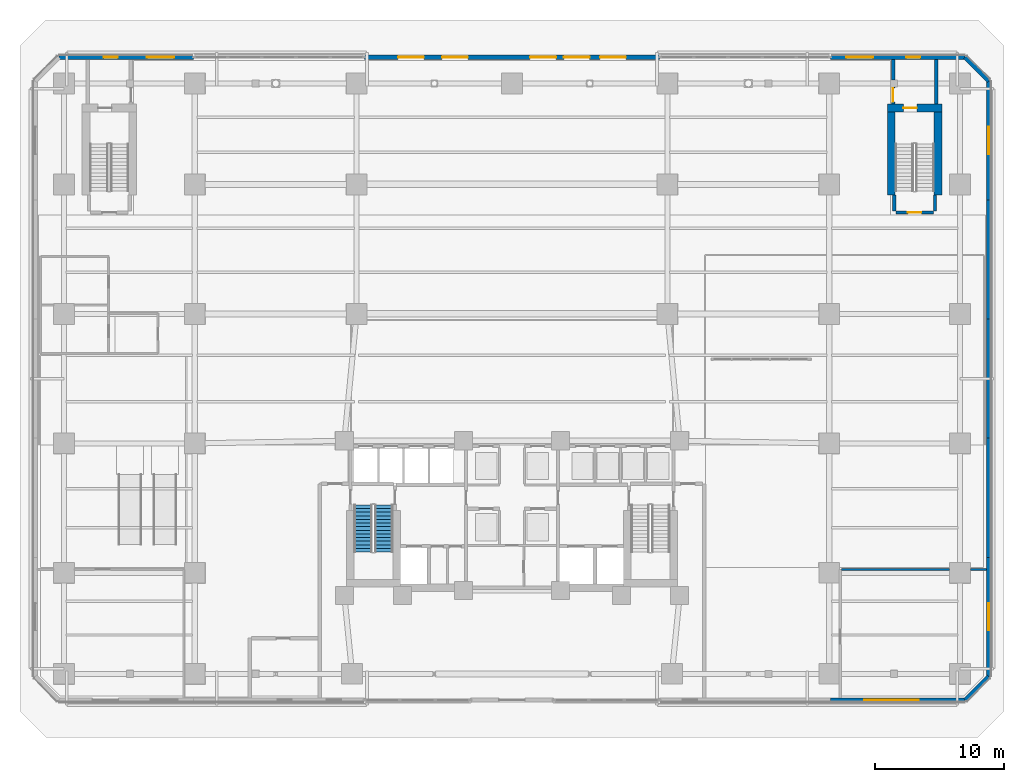
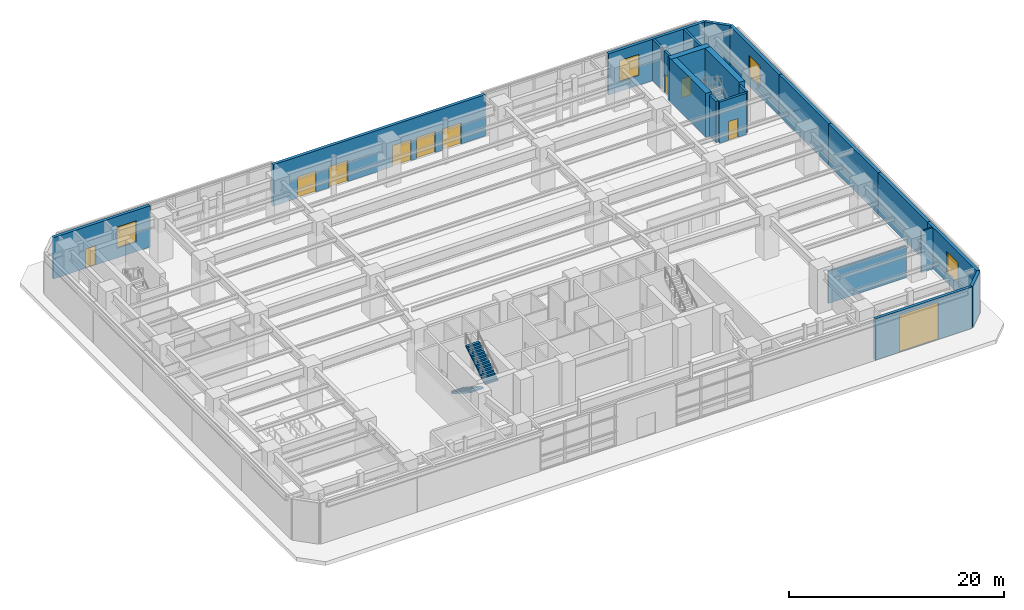
# One storey, part 16 of 26: 22 walls, 11 doors, 4 windows, 2 stair flights, 15 openings, 1 element without a shape of its own.
"""IFC4 building model written with IfcOpenShell, lengths in metres."""

from ifc_helpers import new_model, si_unit, direction, frame, frame_2d, origin, place, context, subcontext, project, spatial, polyline, rectangle, outline, extrude, material, layer, layer_set, type_object, element, fill, aggregate, save


model = new_model("IFC4")

# Units and contexts
model_context = context("Model", 3, precision=1e-05, world=origin(), true_north=direction((0.0, 1.0)))
body_context = subcontext(model_context, "Body", "Model", "MODEL_VIEW")
ifc_project = project(units=[si_unit("LENGTHUNIT", "METRE"), si_unit("AREAUNIT", "SQUARE_METRE"), si_unit("VOLUMEUNIT", "CUBIC_METRE"), si_unit("PLANEANGLEUNIT", "RADIAN"), si_unit("MASSUNIT", "GRAM", prefix="KILO")], contexts=[model_context])

# Site, building, storey
site_placement = place(None, origin())
site = spatial("IfcSite", under=ifc_project, at=site_placement, CompositionType="ELEMENT")
building_placement = place(site_placement, origin())
building = spatial("IfcBuilding", under=site, at=building_placement, Name="Quenlor Broadcast Tower", CompositionType="ELEMENT")
storey_placement = place(building_placement, origin())
storey = spatial("IfcBuildingStorey", under=building, at=storey_placement, Name="L00", CompositionType="ELEMENT", Elevation=0.0)

# Wall, opening, door
ifc_material_1 = material(Name="Concrete C65/80", Category="concrete")
ifc_layer_1 = layer(ifc_material_1, 0.60009765625)
ifc_layer_set_1 = layer_set([ifc_layer_1], Name="Core Concrete C65/80 Shear Wall 600")
wall_type_1 = type_object("IfcWallType", Name="Core Concrete C65/80 Shear Wall 600", PredefinedType="SHEAR", material=ifc_layer_set_1)
wall_1_placement = place(storey_placement, frame((29.0, 20.89990234375, 0.0), z_axis=(0.0, 0.0, 1.0), x_axis=(1.0, 0.0, 0.0)))
wall_1 = element("IfcWall", 1, at=wall_1_placement, inside=storey, type_object=wall_type_1, Name="L00 Core Shear Wall ST4-N", PredefinedType="SHEAR", context=body_context, shape_type="SweptSolid", body=[
    extrude(rectangle(XDim=4.199951171875, YDim=0.60009765625, at=frame_2d((2.10009765625, 0.0))), origin(), (0.0, 0.0, 1.0), 5.0),
])
opening_1_placement = place(wall_1_placement, frame((1.22509765625, 0.0, 0.0)))
opening_1 = element("IfcOpeningElement", 2, at=opening_1_placement, cuts=wall_1, Name="Opening FD-1", PredefinedType="OPENING", context=body_context, shape_type="SweptSolid", body=[
    extrude(rectangle(XDim=1.050048828125, YDim=2.14990234375, at=frame_2d((0.52490234375, 1.074951171875))), frame((0.0, 0.31005859375, 0.0), z_axis=(0.0, -1.0, 0.0), x_axis=(1.0, 0.0, 0.0)), (0.0, 0.0, 1.0), 0.6201171875),
])
ifc_material_2 = material(Name="Fire Rated Steel Door Leaf", Category="steel")
door_type_1 = type_object("IfcDoorType", Name="Fire Isolated Stair Door 1050x2150", OperationType="NOTDEFINED", PredefinedType="DOOR", material=ifc_material_2)
door_1_placement = place(opening_1_placement, origin())
door_1 = element("IfcDoor", 3, at=door_1_placement, inside=storey, type_object=door_type_1, Name="L00 Exit Stair ST-4 Discharge Door to Exit Vestibule North East", OperationType="SINGLE_SWING_RIGHT", OverallHeight=2.14990234375, OverallWidth=1.050048828125, PredefinedType="DOOR", context=body_context, shape_type="SweptSolid", body=[
    extrude(rectangle(XDim=1.050048828125, YDim=2.14990234375, at=frame_2d((0.52490234375, 1.074951171875))), frame((0.0, 0.02490234375, 0.0), z_axis=(0.0, -1.0, 0.0), x_axis=(1.0, 0.0, 0.0)), (0.0, 0.0, 1.0), 0.050048828125),
])
fill(opening_1, door_1)

# Walls
for number, where, z_axis, x_axis, name in (
    (4, (29.300048828125, 14.199951171875, 0.0), (0.0, 0.0, 1.0), (0.0, 1.0, 0.0), "L00 Core Shear Wall ST4-W"),
    (5, (32.89990234375, 14.199951171875, 0.0), (0.0, 0.0, 1.0), (0.0, 1.0, 0.0), "L00 Core Shear Wall ST4-E"),
):
    element("IfcWall", number, at=place(storey_placement, frame(where, z_axis=z_axis, x_axis=x_axis)), inside=storey, type_object=wall_type_1, Name=name, PredefinedType="SHEAR", context=body_context, shape_type="SweptSolid", body=[
        extrude(rectangle(XDim=6.699951171875, YDim=0.60009765625, at=frame_2d((3.35009765625, 0.0))), origin(), (0.0, 0.0, 1.0), 5.0),
    ])

# Wall, opening, door
ifc_material_3 = material(Name="Concrete C40/50", Category="concrete")
ifc_layer_2 = layer(ifc_material_3, 0.25)
ifc_layer_set_2 = layer_set([ifc_layer_2], Name="Fire Rated Concrete C40/50 Core Wall 250")
wall_type_2 = type_object("IfcWallType", Name="Fire Rated Concrete C40/50 Core Wall 250", PredefinedType="PARTITIONING", material=ifc_layer_set_2)
wall_2_placement = place(storey_placement, frame((29.64990234375, 12.840087890625, 0.0), z_axis=(0.0, 0.0, 1.0), x_axis=(1.0, 0.0, 0.0)))
wall_2 = element("IfcWall", 6, at=wall_2_placement, inside=storey, type_object=wall_type_2, Name="L00 Interior Wall CW-ST4-S", PredefinedType="PARTITIONING", context=body_context, shape_type="SweptSolid", body=[
    extrude(rectangle(XDim=2.900146484375, YDim=0.25, at=frame_2d((1.4501953125, 0.0))), origin(), (0.0, 0.0, 1.0), 4.699951171875),
])
opening_2_placement = place(wall_2_placement, frame((0.919921875, 0.0, 0.0)))
opening_2 = element("IfcOpeningElement", 7, at=opening_2_placement, cuts=wall_2, Name="Opening FD-1", PredefinedType="OPENING", context=body_context, shape_type="SweptSolid", body=[
    extrude(rectangle(XDim=1.050048828125, YDim=2.14990234375, at=frame_2d((0.52490234375, 1.074951171875))), frame((0.0, 0.135009765625, 0.0), z_axis=(0.0, -1.0, 0.0), x_axis=(1.0, 0.0, 0.0)), (0.0, 0.0, 1.0), 0.27001953125),
])
door_2_placement = place(opening_2_placement, origin())
door_2 = element("IfcDoor", 8, at=door_2_placement, inside=storey, type_object=door_type_1, Name="L00 Door DR-ST4", OperationType="SINGLE_SWING_RIGHT", OverallHeight=2.14990234375, OverallWidth=1.050048828125, PredefinedType="DOOR", context=body_context, shape_type="SweptSolid", body=[
    extrude(rectangle(XDim=1.050048828125, YDim=2.14990234375, at=frame_2d((0.52490234375, 1.074951171875))), frame((0.0, 0.02490234375, 0.0), z_axis=(0.0, -1.0, 0.0), x_axis=(1.0, 0.0, 0.0)), (0.0, 0.0, 1.0), 0.050048828125),
])
fill(opening_2, door_2)

# Walls
for number, where, z_axis, x_axis, name in (
    (9, (29.52001953125, 12.9599609375, 0.0), (0.0, 0.0, 1.0), (0.0, 1.0, 0.0), "L00 Interior Wall CW-ST4-W1"),
    (10, (32.679931640625, 12.9599609375, 0.0), (0.0, 0.0, 1.0), (0.0, 1.0, 0.0), "L00 Interior Wall CW-ST4-E1"),
):
    element("IfcWall", number, at=place(storey_placement, frame(where, z_axis=z_axis, x_axis=x_axis)), inside=storey, type_object=wall_type_2, Name=name, PredefinedType="PARTITIONING", context=body_context, shape_type="SweptSolid", body=[
        extrude(rectangle(XDim=1.219970703125, YDim=0.25, at=frame_2d((0.60986328125, 0.0))), origin(), (0.0, 0.0, 1.0), 4.699951171875),
    ])

# Wall, opening, door
wall_3_placement = place(storey_placement, frame((29.43994140625, 21.201904296875, 0.0), z_axis=(0.0, 0.0, 1.0), x_axis=(0.0, 1.0, 0.0)))
wall_3 = element("IfcWall", 11, at=wall_3_placement, inside=storey, type_object=wall_type_2, Name="L00 Interior Wall PW-L00-VNEW", PredefinedType="PARTITIONING", context=body_context, shape_type="SweptSolid", body=[
    extrude(rectangle(XDim=1.321044921875, YDim=0.25, at=frame_2d((0.66064453125, 0.0))), origin(), (0.0, 0.0, 1.0), 4.699951171875),
])
opening_3_placement = place(wall_3_placement, frame((0.177978515625, 0.0, 0.0)))
opening_3 = element("IfcOpeningElement", 12, at=opening_3_placement, cuts=wall_3, Name="Opening FD-1", PredefinedType="OPENING", context=body_context, shape_type="SweptSolid", body=[
    extrude(rectangle(XDim=1.050048828125, YDim=2.14990234375, at=frame_2d((0.52490234375, 1.074951171875))), frame((0.0, 0.135009765625, 0.0), z_axis=(0.0, -1.0, 0.0), x_axis=(1.0, 0.0, 0.0)), (0.0, 0.0, 1.0), 0.27001953125),
])
door_3_placement = place(opening_3_placement, origin())
door_3 = element("IfcDoor", 13, at=door_3_placement, inside=storey, type_object=door_type_1, Name="L00 Door DR-L00-VNEW", OperationType="SINGLE_SWING_LEFT", OverallHeight=2.14990234375, OverallWidth=1.050048828125, PredefinedType="DOOR", context=body_context, shape_type="SweptSolid", body=[
    extrude(rectangle(XDim=1.050048828125, YDim=2.14990234375, at=frame_2d((0.52490234375, 1.074951171875))), frame((0.0, 0.02490234375, 0.0), z_axis=(0.0, -1.0, 0.0), x_axis=(1.0, 0.0, 0.0)), (0.0, 0.0, 1.0), 0.050048828125),
])
fill(opening_3, door_3)

# Walls
wall_4_placement = place(storey_placement, frame((29.43994140625, 23.076904296875, 0.0), z_axis=(0.0, 0.0, 1.0), x_axis=(0.0, 1.0, 0.0)))
element("IfcWall", 14, at=wall_4_placement, inside=storey, type_object=wall_type_2, Name="L00 Interior Wall PW-L00-VNEWS2", PredefinedType="PARTITIONING", context=body_context, shape_type="SweptSolid", body=[
    extrude(rectangle(XDim=1.5810546875, YDim=0.25, at=frame_2d((0.79052734375, 0.0))), origin(), (0.0, 0.0, 1.0), 4.699951171875),
])
wall_5_placement = place(storey_placement, frame((32.760009765625, 21.201904296875, 0.0), z_axis=(0.0, 0.0, 1.0), x_axis=(0.0, 1.0, 0.0)))
element("IfcWall", 15, at=wall_5_placement, inside=storey, type_object=wall_type_2, Name="L00 Interior Wall PW-L00-VNEE", PredefinedType="PARTITIONING", context=body_context, shape_type="SweptSolid", body=[
    extrude(rectangle(XDim=3.4560546875, YDim=0.25, at=frame_2d((1.72802734375, 0.0))), origin(), (0.0, 0.0, 1.0), 4.699951171875),
])
ifc_material_4 = material(Name="Gypsum Fireboard Partition", Category="other")
ifc_layer_3 = layer(ifc_material_4, 0.159912109375)
ifc_layer_set_3 = layer_set([ifc_layer_3], Name="Fire Rated Shaft and Corridor Partition 160")
wall_type_3 = type_object("IfcWallType", Name="Fire Rated Shaft and Corridor Partition 160", PredefinedType="PARTITIONING", material=ifc_layer_set_3)
wall_6_placement = place(storey_placement, frame((25.431884765625, -14.75, 0.0), z_axis=(0.0, 0.0, 1.0), x_axis=(1.0, 0.0, 0.0)))
element("IfcWall", 16, at=wall_6_placement, inside=storey, type_object=wall_type_3, Name="L00 Interior Wall PW-L00-OBN", PredefinedType="PARTITIONING", context=body_context, shape_type="SweptSolid", body=[
    extrude(rectangle(XDim=8.3662109375, YDim=0.159912109375, at=frame_2d((4.18310546875, 0.0))), origin(), (0.0, 0.0, 1.0), 3.676025390625),
])
wall_7_placement = place(storey_placement, frame((35.402099609375, -14.75, 0.0), z_axis=(0.0, 0.0, 1.0), x_axis=(1.0, 0.0, 0.0)))
element("IfcWall", 17, at=wall_7_placement, inside=storey, type_object=wall_type_3, Name="L00 Interior Wall PW-L00-OBNS2", PredefinedType="PARTITIONING", context=body_context, shape_type="SweptSolid", body=[
    extrude(rectangle(XDim=1.2578125, YDim=0.159912109375, at=frame_2d((0.62890625, 0.0))), origin(), (0.0, 0.0, 1.0), 4.699951171875),
])

# Wall, opening, door
ifc_material_5 = material(Name="Precast concrete C40/50", Category="concrete")
ifc_layer_4 = layer(ifc_material_5, 0.320068359375)
ifc_layer_set_4 = layer_set([ifc_layer_4], Name="Station Podium Precast Concrete C40/50 Facade Wall 320")
wall_type_4 = type_object("IfcWallType", Name="Station Podium Precast Concrete C40/50 Facade Wall 320", PredefinedType="STANDARD", material=ifc_layer_set_4)
wall_8_placement = place(storey_placement, frame((35.0, -24.820068359375, 0.0), z_axis=(0.0, 0.0, 1.0), x_axis=(-1.0, 0.0, 0.0)))
wall_8 = element("IfcWall", 18, at=wall_8_placement, inside=storey, type_object=wall_type_4, Name="L00 Exterior Wall L00-EW-SOB", PredefinedType="STANDARD", context=body_context, shape_type="SweptSolid", body=[
    extrude(rectangle(XDim=10.39990234375, YDim=0.320068359375, at=frame_2d((5.199951171875, 0.0))), origin(), (0.0, 0.0, 1.0), 4.699951171875),
])
opening_4_placement = place(wall_8_placement, frame((3.60009765625, 0.0, 0.0)))
opening_4 = element("IfcOpeningElement", 19, at=opening_4_placement, cuts=wall_8, Name="Opening VG-1", PredefinedType="OPENING", context=body_context, shape_type="SweptSolid", body=[
    extrude(rectangle(XDim=4.199951171875, YDim=4.199951171875, at=frame_2d((2.10009765625, 2.10009765625))), frame((0.0, 0.169921875, 0.0), z_axis=(0.0, -1.0, 0.0), x_axis=(1.0, 0.0, 0.0)), (0.0, 0.0, 1.0), 0.340087890625),
])
ifc_material_6 = material(Name="Galvanised Steel S355", Category="steel")
door_type_2 = type_object("IfcDoorType", Name="Outside Broadcast Dock Roller Shutter Gate 4200x4200", OperationType="NOTDEFINED", PredefinedType="GATE", material=ifc_material_6)
door_4_placement = place(opening_4_placement, origin())
door_4 = element("IfcDoor", 20, at=door_4_placement, inside=storey, type_object=door_type_2, Name="L00 OB Dock Roller Shutter Gate VG-1", OperationType="ROLLINGUP", OverallHeight=4.199951171875, OverallWidth=4.199951171875, PredefinedType="GATE", context=body_context, shape_type="SweptSolid", body=[
    extrude(rectangle(XDim=4.199951171875, YDim=4.199951171875, at=frame_2d((2.10009765625, 2.10009765625))), frame((0.0, 0.02490234375, 0.0), z_axis=(0.0, -1.0, 0.0), x_axis=(1.0, 0.0, 0.0)), (0.0, 0.0, 1.0), 0.050048828125),
])
fill(opening_4, door_4)

# Wall, openings, door, window
wall_9_placement = place(storey_placement, frame((-35.0, 24.820068359375, 0.0), z_axis=(0.0, 0.0, 1.0), x_axis=(1.0, 0.0, 0.0)))
wall_9 = element("IfcWall", 21, at=wall_9_placement, inside=storey, type_object=wall_type_4, Name="L00 Exterior Wall L00-EW-NW", PredefinedType="STANDARD", context=body_context, shape_type="SweptSolid", body=[
    extrude(rectangle(XDim=10.39990234375, YDim=0.320068359375, at=frame_2d((5.199951171875, 0.0))), origin(), (0.0, 0.0, 1.0), 4.699951171875),
])
opening_5_placement = place(wall_9_placement, frame((3.449951171875, 0.0, 0.0)))
opening_5 = element("IfcOpeningElement", 22, at=opening_5_placement, cuts=wall_9, Name="Opening ED-2", PredefinedType="OPENING", context=body_context, shape_type="SweptSolid", body=[
    extrude(rectangle(XDim=1.10009765625, YDim=2.199951171875, at=frame_2d((0.550048828125, 1.10009765625))), frame((0.0, 0.169921875, 0.0), z_axis=(0.0, -1.0, 0.0), x_axis=(1.0, 0.0, 0.0)), (0.0, 0.0, 1.0), 0.340087890625),
])
opening_6_placement = place(wall_9_placement, frame((6.800048828125, 0.0, 1.10009765625)))
opening_6 = element("IfcOpeningElement", 23, at=opening_6_placement, cuts=wall_9, Name="Opening WN-4", PredefinedType="OPENING", context=body_context, shape_type="SweptSolid", body=[
    extrude(rectangle(XDim=2.10009765625, YDim=2.39990234375, at=frame_2d((1.050048828125, 1.199951171875))), frame((0.0, 0.169921875, 0.0), z_axis=(0.0, -1.0, 0.0), x_axis=(1.0, 0.0, 0.0)), (0.0, 0.0, 1.0), 0.340087890625),
])
ifc_material_7 = material(Name="Anodised Aluminium and Toughened Glass", Category="aluminium")
door_type_3 = type_object("IfcDoorType", Name="Ground Final Exit Discharge Door 1100x2200", OperationType="NOTDEFINED", PredefinedType="DOOR", material=ifc_material_7)
door_5_placement = place(opening_5_placement, origin())
door_5 = element("IfcDoor", 24, at=door_5_placement, inside=storey, type_object=door_type_3, Name="L00 Stair ST-3 Final Exit Door", OperationType="SINGLE_SWING_LEFT", OverallHeight=2.199951171875, OverallWidth=1.10009765625, PredefinedType="DOOR", context=body_context, shape_type="SweptSolid", body=[
    extrude(rectangle(XDim=1.10009765625, YDim=2.199951171875, at=frame_2d((0.550048828125, 1.10009765625))), frame((0.0, 0.02490234375, 0.0), z_axis=(0.0, -1.0, 0.0), x_axis=(1.0, 0.0, 0.0)), (0.0, 0.0, 1.0), 0.050048828125),
])
fill(opening_5, door_5)
ifc_material_8 = material(Name="Thermally Broken Aluminium and Low-E Glass", Category="aluminium")
window_type = type_object("IfcWindowType", Name="Podium Gallery Acoustic Window 2100x2400", PartitioningType="SINGLE_PANEL", PredefinedType="WINDOW", material=ifc_material_8)
window_1_placement = place(opening_6_placement, origin())
window_1 = element("IfcWindow", 25, at=window_1_placement, inside=storey, type_object=window_type, Name="L00 Concourse Gallery Window NW", OverallHeight=2.39990234375, OverallWidth=2.10009765625, PartitioningType="SINGLE_PANEL", PredefinedType="WINDOW", context=body_context, shape_type="SweptSolid", body=[
    extrude(rectangle(XDim=2.10009765625, YDim=2.39990234375, at=frame_2d((1.050048828125, 1.199951171875))), frame((0.0, 0.030029296875, 0.0), z_axis=(0.0, -1.0, 0.0), x_axis=(1.0, 0.0, 0.0)), (0.0, 0.0, 1.0), 0.06005859375),
])
fill(opening_6, window_1)

# Wall, openings, doors
wall_10_placement = place(storey_placement, frame((-11.39990234375, 24.820068359375, 0.0), z_axis=(0.0, 0.0, 1.0), x_axis=(1.0, 0.0, 0.0)))
wall_10 = element("IfcWall", 26, at=wall_10_placement, inside=storey, type_object=wall_type_4, Name="L00 Exterior Wall L00-EW-NM", PredefinedType="STANDARD", context=body_context, shape_type="SweptSolid", body=[
    extrude(rectangle(XDim=22.7998046875, YDim=0.320068359375, at=frame_2d((11.39990234375, 0.0))), origin(), (0.0, 0.0, 1.0), 4.699951171875),
])
opening_7_placement = place(wall_10_placement, frame((2.60009765625, 0.0, 0.0)))
opening_7 = element("IfcOpeningElement", 27, at=opening_7_placement, cuts=wall_10, Name="Opening ED-1", PredefinedType="OPENING", context=body_context, shape_type="SweptSolid", body=[
    extrude(rectangle(XDim=2.0, YDim=2.39990234375, at=frame_2d((1.0, 1.199951171875))), frame((0.0, 0.169921875, 0.0), z_axis=(0.0, -1.0, 0.0), x_axis=(1.0, 0.0, 0.0)), (0.0, 0.0, 1.0), 0.340087890625),
])
opening_8_placement = place(wall_10_placement, frame((18.199951171875, 0.0, 0.0)))
opening_8 = element("IfcOpeningElement", 28, at=opening_8_placement, cuts=wall_10, Name="Opening ED-1", PredefinedType="OPENING", context=body_context, shape_type="SweptSolid", body=[
    extrude(rectangle(XDim=2.0, YDim=2.39990234375, at=frame_2d((1.0, 1.199951171875))), frame((0.0, 0.169921875, 0.0), z_axis=(0.0, -1.0, 0.0), x_axis=(1.0, 0.0, 0.0)), (0.0, 0.0, 1.0), 0.340087890625),
])
opening_9_placement = place(wall_10_placement, frame((6.0, 0.0, 0.0)))
opening_9 = element("IfcOpeningElement", 29, at=opening_9_placement, cuts=wall_10, Name="Opening ED-1", PredefinedType="OPENING", context=body_context, shape_type="SweptSolid", body=[
    extrude(rectangle(XDim=2.0, YDim=2.39990234375, at=frame_2d((1.0, 1.199951171875))), frame((0.0, 0.169921875, 0.0), z_axis=(0.0, -1.0, 0.0), x_axis=(1.0, 0.0, 0.0)), (0.0, 0.0, 1.0), 0.340087890625),
])
opening_10_placement = place(wall_10_placement, frame((12.800048828125, 0.0, 0.0)))
opening_10 = element("IfcOpeningElement", 30, at=opening_10_placement, cuts=wall_10, Name="Opening ED-1", PredefinedType="OPENING", context=body_context, shape_type="SweptSolid", body=[
    extrude(rectangle(XDim=2.0, YDim=2.39990234375, at=frame_2d((1.0, 1.199951171875))), frame((0.0, 0.169921875, 0.0), z_axis=(0.0, -1.0, 0.0), x_axis=(1.0, 0.0, 0.0)), (0.0, 0.0, 1.0), 0.340087890625),
])
opening_11_placement = place(wall_10_placement, frame((15.39990234375, 0.0, 0.0)))
opening_11 = element("IfcOpeningElement", 31, at=opening_11_placement, cuts=wall_10, Name="Opening ED-1", PredefinedType="OPENING", context=body_context, shape_type="SweptSolid", body=[
    extrude(rectangle(XDim=2.0, YDim=2.39990234375, at=frame_2d((1.0, 1.199951171875))), frame((0.0, 0.169921875, 0.0), z_axis=(0.0, -1.0, 0.0), x_axis=(1.0, 0.0, 0.0)), (0.0, 0.0, 1.0), 0.340087890625),
])
ifc_material_9 = material(Name="Anodised Aluminium and Toughened Glass", Category="aluminium")
door_type_4 = type_object("IfcDoorType", Name="Station Concourse Double Glazed Entrance Door 2000x2400", OperationType="NOTDEFINED", PredefinedType="DOOR", material=ifc_material_9)
door_6_placement = place(opening_7_placement, origin())
door_6 = element("IfcDoor", 32, at=door_6_placement, inside=storey, type_object=door_type_4, Name="L00 Station Concourse North Entrance 1", OperationType="DOUBLE_DOOR_SINGLE_SWING", OverallHeight=2.39990234375, OverallWidth=2.0, PredefinedType="DOOR", context=body_context, shape_type="SweptSolid", body=[
    extrude(rectangle(XDim=2.0, YDim=2.39990234375, at=frame_2d((1.0, 1.199951171875))), frame((0.0, 0.02490234375, 0.0), z_axis=(0.0, -1.0, 0.0), x_axis=(1.0, 0.0, 0.0)), (0.0, 0.0, 1.0), 0.050048828125),
])
fill(opening_7, door_6)
door_7_placement = place(opening_8_placement, origin())
door_7 = element("IfcDoor", 33, at=door_7_placement, inside=storey, type_object=door_type_4, Name="L00 Station Concourse North Entrance 2", OperationType="DOUBLE_DOOR_SINGLE_SWING", OverallHeight=2.39990234375, OverallWidth=2.0, PredefinedType="DOOR", context=body_context, shape_type="SweptSolid", body=[
    extrude(rectangle(XDim=2.0, YDim=2.39990234375, at=frame_2d((1.0, 1.199951171875))), frame((0.0, 0.02490234375, 0.0), z_axis=(0.0, -1.0, 0.0), x_axis=(1.0, 0.0, 0.0)), (0.0, 0.0, 1.0), 0.050048828125),
])
fill(opening_8, door_7)
door_8_placement = place(opening_9_placement, origin())
door_8 = element("IfcDoor", 34, at=door_8_placement, inside=storey, type_object=door_type_4, Name="L00 Station Concourse North Entrance 3", OperationType="DOUBLE_DOOR_SINGLE_SWING", OverallHeight=2.39990234375, OverallWidth=2.0, PredefinedType="DOOR", context=body_context, shape_type="SweptSolid", body=[
    extrude(rectangle(XDim=2.0, YDim=2.39990234375, at=frame_2d((1.0, 1.199951171875))), frame((0.0, 0.02490234375, 0.0), z_axis=(0.0, -1.0, 0.0), x_axis=(1.0, 0.0, 0.0)), (0.0, 0.0, 1.0), 0.050048828125),
])
fill(opening_9, door_8)
door_9_placement = place(opening_10_placement, origin())
door_9 = element("IfcDoor", 35, at=door_9_placement, inside=storey, type_object=door_type_4, Name="L00 Station Concourse North Entrance 4", OperationType="DOUBLE_DOOR_SINGLE_SWING", OverallHeight=2.39990234375, OverallWidth=2.0, PredefinedType="DOOR", context=body_context, shape_type="SweptSolid", body=[
    extrude(rectangle(XDim=2.0, YDim=2.39990234375, at=frame_2d((1.0, 1.199951171875))), frame((0.0, 0.02490234375, 0.0), z_axis=(0.0, -1.0, 0.0), x_axis=(1.0, 0.0, 0.0)), (0.0, 0.0, 1.0), 0.050048828125),
])
fill(opening_10, door_9)
door_10_placement = place(opening_11_placement, origin())
door_10 = element("IfcDoor", 36, at=door_10_placement, inside=storey, type_object=door_type_4, Name="L00 Station Concourse North Entrance 5", OperationType="DOUBLE_DOOR_SINGLE_SWING", OverallHeight=2.39990234375, OverallWidth=2.0, PredefinedType="DOOR", context=body_context, shape_type="SweptSolid", body=[
    extrude(rectangle(XDim=2.0, YDim=2.39990234375, at=frame_2d((1.0, 1.199951171875))), frame((0.0, 0.02490234375, 0.0), z_axis=(0.0, -1.0, 0.0), x_axis=(1.0, 0.0, 0.0)), (0.0, 0.0, 1.0), 0.050048828125),
])
fill(opening_11, door_10)

# Wall, openings, door, window
wall_11_placement = place(storey_placement, frame((24.60009765625, 24.820068359375, 0.0), z_axis=(0.0, 0.0, 1.0), x_axis=(1.0, 0.0, 0.0)))
wall_11 = element("IfcWall", 37, at=wall_11_placement, inside=storey, type_object=wall_type_4, Name="L00 Exterior Wall L00-EW-NE", PredefinedType="STANDARD", context=body_context, shape_type="SweptSolid", body=[
    extrude(rectangle(XDim=10.39990234375, YDim=0.320068359375, at=frame_2d((5.199951171875, 0.0))), origin(), (0.0, 0.0, 1.0), 4.699951171875),
])
opening_12_placement = place(wall_11_placement, frame((5.85009765625, 0.0, 0.0)))
opening_12 = element("IfcOpeningElement", 38, at=opening_12_placement, cuts=wall_11, Name="Opening ED-2", PredefinedType="OPENING", context=body_context, shape_type="SweptSolid", body=[
    extrude(rectangle(XDim=1.10009765625, YDim=2.199951171875, at=frame_2d((0.550048828125, 1.10009765625))), frame((0.0, 0.169921875, 0.0), z_axis=(0.0, -1.0, 0.0), x_axis=(1.0, 0.0, 0.0)), (0.0, 0.0, 1.0), 0.340087890625),
])
opening_13_placement = place(wall_11_placement, frame((1.199951171875, 0.0, 1.10009765625)))
opening_13 = element("IfcOpeningElement", 39, at=opening_13_placement, cuts=wall_11, Name="Opening WN-4", PredefinedType="OPENING", context=body_context, shape_type="SweptSolid", body=[
    extrude(rectangle(XDim=2.10009765625, YDim=2.39990234375, at=frame_2d((1.050048828125, 1.199951171875))), frame((0.0, 0.169921875, 0.0), z_axis=(0.0, -1.0, 0.0), x_axis=(1.0, 0.0, 0.0)), (0.0, 0.0, 1.0), 0.340087890625),
])
door_11_placement = place(opening_12_placement, origin())
door_11 = element("IfcDoor", 40, at=door_11_placement, inside=storey, type_object=door_type_3, Name="L00 Stair ST-4 Final Exit Door", OperationType="SINGLE_SWING_RIGHT", OverallHeight=2.199951171875, OverallWidth=1.10009765625, PredefinedType="DOOR", context=body_context, shape_type="SweptSolid", body=[
    extrude(rectangle(XDim=1.10009765625, YDim=2.199951171875, at=frame_2d((0.550048828125, 1.10009765625))), frame((0.0, 0.02490234375, 0.0), z_axis=(0.0, -1.0, 0.0), x_axis=(1.0, 0.0, 0.0)), (0.0, 0.0, 1.0), 0.050048828125),
])
fill(opening_12, door_11)
window_2_placement = place(opening_13_placement, origin())
window_2 = element("IfcWindow", 41, at=window_2_placement, inside=storey, type_object=window_type, Name="L00 Concourse Gallery Window NE", OverallHeight=2.39990234375, OverallWidth=2.10009765625, PartitioningType="SINGLE_PANEL", PredefinedType="WINDOW", context=body_context, shape_type="SweptSolid", body=[
    extrude(rectangle(XDim=2.10009765625, YDim=2.39990234375, at=frame_2d((1.050048828125, 1.199951171875))), frame((0.0, 0.030029296875, 0.0), z_axis=(0.0, -1.0, 0.0), x_axis=(1.0, 0.0, 0.0)), (0.0, 0.0, 1.0), 0.06005859375),
])
fill(opening_13, window_2)

# Wall, opening, window
wall_12_placement = place(storey_placement, frame((36.820068359375, 23.0, 0.0), z_axis=(0.0, 0.0, 1.0), x_axis=(0.0, -1.0, 0.0)))
wall_12 = element("IfcWall", 42, at=wall_12_placement, inside=storey, type_object=wall_type_4, Name="L00 Exterior Wall L00-EW-E1", PredefinedType="STANDARD", context=body_context, shape_type="SweptSolid", body=[
    extrude(rectangle(XDim=9.199951171875, YDim=0.320068359375, at=frame_2d((4.60009765625, 0.0))), origin(), (0.0, 0.0, 1.0), 4.699951171875),
])
opening_14_placement = place(wall_12_placement, frame((3.550048828125, 0.0, 1.10009765625)))
opening_14 = element("IfcOpeningElement", 43, at=opening_14_placement, cuts=wall_12, Name="Opening WN-4", PredefinedType="OPENING", context=body_context, shape_type="SweptSolid", body=[
    extrude(rectangle(XDim=2.10009765625, YDim=2.39990234375, at=frame_2d((1.050048828125, 1.199951171875))), frame((0.0, 0.169921875, 0.0), z_axis=(0.0, -1.0, 0.0), x_axis=(1.0, 0.0, 0.0)), (0.0, 0.0, 1.0), 0.340087890625),
])
window_3_placement = place(opening_14_placement, origin())
window_3 = element("IfcWindow", 44, at=window_3_placement, inside=storey, type_object=window_type, Name="L00 Podium Gallery Window E1", OverallHeight=2.39990234375, OverallWidth=2.10009765625, PartitioningType="SINGLE_PANEL", PredefinedType="WINDOW", context=body_context, shape_type="SweptSolid", body=[
    extrude(rectangle(XDim=2.10009765625, YDim=2.39990234375, at=frame_2d((1.050048828125, 1.199951171875))), frame((0.0, 0.030029296875, 0.0), z_axis=(0.0, -1.0, 0.0), x_axis=(1.0, 0.0, 0.0)), (0.0, 0.0, 1.0), 0.06005859375),
])
fill(opening_14, window_3)

# Walls
wall_13_placement = place(storey_placement, frame((36.820068359375, 13.800048828125, 0.0), z_axis=(0.0, 0.0, 1.0), x_axis=(0.0, -1.0, 0.0)))
element("IfcWall", 45, at=wall_13_placement, inside=storey, type_object=wall_type_4, Name="L00 Exterior Wall L00-EW-E2", PredefinedType="STANDARD", context=body_context, shape_type="SweptSolid", body=[
    extrude(rectangle(XDim=9.199951171875, YDim=0.320068359375, at=frame_2d((4.60009765625, 0.0))), origin(), (0.0, 0.0, 1.0), 4.699951171875),
])
wall_14_placement = place(storey_placement, frame((36.820068359375, 4.60009765625, 0.0), z_axis=(0.0, 0.0, 1.0), x_axis=(0.0, -1.0, 0.0)))
element("IfcWall", 46, at=wall_14_placement, inside=storey, type_object=wall_type_4, Name="L00 Exterior Wall L00-EW-E3", PredefinedType="STANDARD", context=body_context, shape_type="SweptSolid", body=[
    extrude(rectangle(XDim=9.2001953125, YDim=0.320068359375, at=frame_2d((4.60009765625, 0.0))), origin(), (0.0, 0.0, 1.0), 4.699951171875),
])
wall_15_placement = place(storey_placement, frame((36.820068359375, -4.60009765625, 0.0), z_axis=(0.0, 0.0, 1.0), x_axis=(0.0, -1.0, 0.0)))
element("IfcWall", 47, at=wall_15_placement, inside=storey, type_object=wall_type_4, Name="L00 Exterior Wall L00-EW-E4", PredefinedType="STANDARD", context=body_context, shape_type="SweptSolid", body=[
    extrude(rectangle(XDim=9.199951171875, YDim=0.320068359375, at=frame_2d((4.60009765625, 0.0))), origin(), (0.0, 0.0, 1.0), 4.699951171875),
])

# Wall, opening, window
wall_16_placement = place(storey_placement, frame((36.820068359375, -13.800048828125, 0.0), z_axis=(0.0, 0.0, 1.0), x_axis=(0.0, -1.0, 0.0)))
wall_16 = element("IfcWall", 48, at=wall_16_placement, inside=storey, type_object=wall_type_4, Name="L00 Exterior Wall L00-EW-E5", PredefinedType="STANDARD", context=body_context, shape_type="SweptSolid", body=[
    extrude(rectangle(XDim=9.199951171875, YDim=0.320068359375, at=frame_2d((4.60009765625, 0.0))), origin(), (0.0, 0.0, 1.0), 4.699951171875),
])
opening_15_placement = place(wall_16_placement, frame((3.550048828125, 0.0, 1.10009765625)))
opening_15 = element("IfcOpeningElement", 49, at=opening_15_placement, cuts=wall_16, Name="Opening WN-4", PredefinedType="OPENING", context=body_context, shape_type="SweptSolid", body=[
    extrude(rectangle(XDim=2.10009765625, YDim=2.39990234375, at=frame_2d((1.050048828125, 1.199951171875))), frame((0.0, 0.169921875, 0.0), z_axis=(0.0, -1.0, 0.0), x_axis=(1.0, 0.0, 0.0)), (0.0, 0.0, 1.0), 0.340087890625),
])
window_4_placement = place(opening_15_placement, origin())
window_4 = element("IfcWindow", 50, at=window_4_placement, inside=storey, type_object=window_type, Name="L00 Podium Gallery Window E5", OverallHeight=2.39990234375, OverallWidth=2.10009765625, PartitioningType="SINGLE_PANEL", PredefinedType="WINDOW", context=body_context, shape_type="SweptSolid", body=[
    extrude(rectangle(XDim=2.10009765625, YDim=2.39990234375, at=frame_2d((1.050048828125, 1.199951171875))), frame((0.0, 0.030029296875, 0.0), z_axis=(0.0, -1.0, 0.0), x_axis=(1.0, 0.0, 0.0)), (0.0, 0.0, 1.0), 0.06005859375),
])
fill(opening_15, window_4)

# Walls
for number, where, z_axis, x_axis, name in (
    (51, (36.820068359375, -23.0, 0.0), (0.0, 0.0, 1.0), (-0.707106781187, -0.707106781187, 0.0), "L00 Exterior Wall L00-EW-CSE"),
    (52, (35.0, 24.820068359375, 0.0), (0.0, 0.0, 1.0), (0.707106781187, -0.707106781187, 0.0), "L00 Exterior Wall L00-EW-CNE"),
):
    element("IfcWall", number, at=place(storey_placement, frame(where, z_axis=z_axis, x_axis=x_axis)), inside=storey, type_object=wall_type_4, Name=name, PredefinedType="STANDARD", context=body_context, shape_type="SweptSolid", body=[
        extrude(rectangle(XDim=2.573974609375, YDim=0.320068359375, at=frame_2d((1.287109375, 0.0))), origin(), (0.0, 0.0, 1.0), 4.699951171875),
    ])

# Stair, stair flights
ifc_material_10 = material(Name="Precast concrete C40/50", Category="concrete")
stair_type = type_object("IfcStairType", Name="Precast Concrete C40/50 Dogleg Stair H500", PredefinedType="HALF_TURN_STAIR", material=ifc_material_10)
stair_placement = place(storey_placement, origin())
stair = element("IfcStair", 53, at=stair_placement, inside=storey, type_object=stair_type, Name="L00 West Core Fire-Isolated Exit Stair ST-1", PredefinedType="HALF_TURN_STAIR")
ifc_material_11 = material(Name="Precast concrete C40/50", Category="concrete")
ifc_layer_5 = layer(ifc_material_11, 0.18505859375)
ifc_layer_set_5 = layer_set([ifc_layer_5], Name="Precast Concrete C40/50 Stair Flight H500")
stair_flight_type = type_object("IfcStairFlightType", Name="Precast Concrete C40/50 Stair Flight H500", PredefinedType="STRAIGHT", material=ifc_layer_set_5)
stair_flight_1_placement = place(storey_placement, frame((-11.5, -9.75, 0.0), z_axis=(0.0, 0.0, 1.0), x_axis=(0.0, -1.0, 0.0)))
stair_flight_1 = element("IfcStairFlight", 54, at=stair_flight_1_placement, type_object=stair_flight_type, Name="ST-1 flight 1", NumberOfRisers=14, NumberOfTreads=13, PredefinedType="STRAIGHT", RiserHeight=0.178571429, TreadLength=0.28, context=body_context, shape_type="SweptSolid", body=[
    extrude(outline(polyline([(0.0, 0.0), (0.0, 0.178466796875), (0.280029296875, 0.178466796875), (0.280029296875, 0.357177734375), (0.56005859375, 0.357177734375), (0.56005859375, 0.53564453125), (0.840087890625, 0.53564453125), (0.840087890625, 0.71435546875), (1.1201171875, 0.71435546875), (1.1201171875, 0.892822265625), (1.39990234375, 0.892822265625), (1.39990234375, 1.071533203125), (1.679931640625, 1.071533203125), (1.679931640625, 1.25), (1.9599609375, 1.25), (1.9599609375, 1.428466796875), (2.239990234375, 1.428466796875), (2.239990234375, 1.607177734375), (2.52001953125, 1.607177734375), (2.52001953125, 1.78564453125), (2.800048828125, 1.78564453125), (2.800048828125, 1.96435546875), (3.080078125, 1.96435546875), (3.080078125, 2.142822265625), (3.360107421875, 2.142822265625), (3.360107421875, 2.321533203125), (3.639892578125, 2.321533203125), (3.639892578125, 2.5), (3.639892578125, 2.1435546875), (0.27880859375, 0.0), (0.0, 0.0)])), frame((0.0, 0.699951171875, 0.0), z_axis=(0.0, -1.0, 0.0), x_axis=(1.0, 0.0, 0.0)), (0.0, 0.0, 1.0), 1.39990234375),
])
stair_flight_2_placement = place(storey_placement, frame((-9.89990234375, -13.389892578125, 2.5), z_axis=(0.0, 0.0, 1.0), x_axis=(0.0, 1.0, 0.0)))
stair_flight_2 = element("IfcStairFlight", 55, at=stair_flight_2_placement, type_object=stair_flight_type, Name="ST-1 flight 2", NumberOfRisers=14, NumberOfTreads=13, PredefinedType="STRAIGHT", RiserHeight=0.178571429, TreadLength=0.28, context=body_context, shape_type="SweptSolid", body=[
    extrude(outline(polyline([(0.0, 0.0), (0.0, 0.178466796875), (0.280029296875, 0.178466796875), (0.280029296875, 0.357177734375), (0.56005859375, 0.357177734375), (0.56005859375, 0.53564453125), (0.840087890625, 0.53564453125), (0.840087890625, 0.71435546875), (1.1201171875, 0.71435546875), (1.1201171875, 0.892822265625), (1.39990234375, 0.892822265625), (1.39990234375, 1.071533203125), (1.679931640625, 1.071533203125), (1.679931640625, 1.25), (1.9599609375, 1.25), (1.9599609375, 1.428466796875), (2.239990234375, 1.428466796875), (2.239990234375, 1.607177734375), (2.52001953125, 1.607177734375), (2.52001953125, 1.78564453125), (2.800048828125, 1.78564453125), (2.800048828125, 1.96435546875), (3.080078125, 1.96435546875), (3.080078125, 2.142822265625), (3.360107421875, 2.142822265625), (3.360107421875, 2.321533203125), (3.639892578125, 2.321533203125), (3.639892578125, 2.5), (3.639892578125, 2.1435546875), (0.27880859375, 0.0), (0.0, 0.0)])), frame((0.0, 0.699951171875, 0.0), z_axis=(0.0, -1.0, 0.0), x_axis=(1.0, 0.0, 0.0)), (0.0, 0.0, 1.0), 1.39990234375),
])
aggregate(stair, [stair_flight_1, stair_flight_2])

save(model, "model.ifc")
